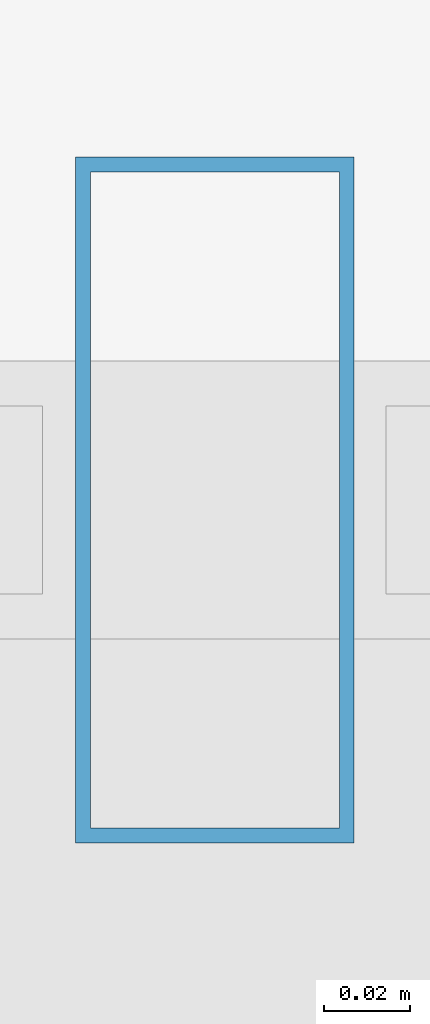
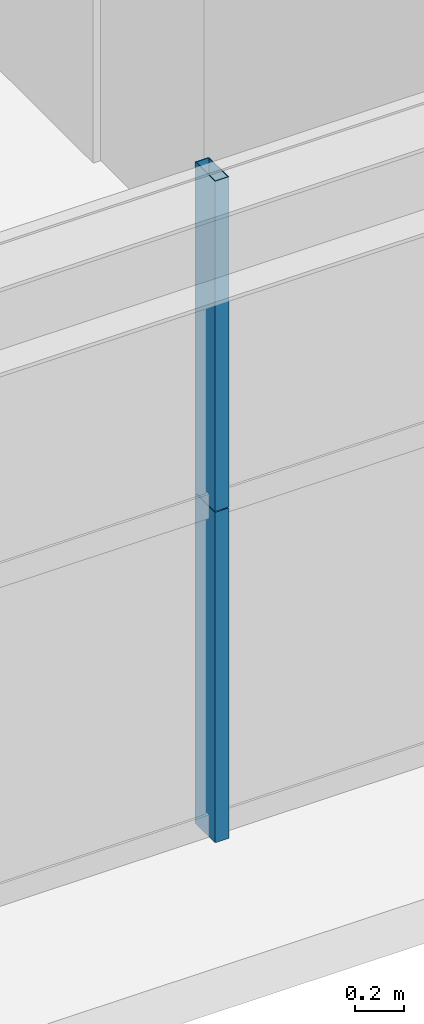
# One storey, part 6 of 45: 2 members, 1 element without a shape of its own.
"""IFC4 building model written with IfcOpenShell, lengths in metres."""

from ifc_helpers import new_model, si_unit, direction, frame, origin, origin_2d, place, context, subcontext, project, spatial, hollow_rectangle, extrude, source, transform, mapped, material, layer, layer_set, material_profile, profile_set, type_object, element, aggregate, save


model = new_model("IFC4")

# Units and contexts
model_context = context("Model", 3, precision=1e-05, world=origin(), true_north=direction((0.0, 1.0)))
body_context = subcontext(model_context, "Body", "Model", "MODEL_VIEW")
ifc_project = project(units=[si_unit("LENGTHUNIT", "METRE"), si_unit("AREAUNIT", "SQUARE_METRE"), si_unit("VOLUMEUNIT", "CUBIC_METRE"), si_unit("PLANEANGLEUNIT", "RADIAN"), si_unit("MASSUNIT", "GRAM", prefix="KILO"), si_unit("THERMODYNAMICTEMPERATUREUNIT", "KELVIN"), si_unit("POWERUNIT", "WATT")], contexts=[model_context])

# Site, building, storey
site_placement = place(None, origin())
site = spatial("IfcSite", under=ifc_project, at=site_placement, CompositionType="ELEMENT")
building_placement = place(site_placement, origin())
building = spatial("IfcBuilding", under=site, at=building_placement, Name="Yuzanri Waterfront Tower", CompositionType="ELEMENT")
storey_placement = place(building_placement, frame((0.0, 0.0, 191.5)))
storey = spatial("IfcBuildingStorey", under=building, at=storey_placement, Name="L50", CompositionType="ELEMENT", Elevation=191.5)

# Curtain wall, members
ifc_material_1 = material(Name="Anodized Architectural Bronze", Category="metal")
ifc_layer = layer(ifc_material_1, 0.159912109375)
ifc_layer_set = layer_set([ifc_layer], Name="Anodized Architectural Bronze")
curtain_wall_type = type_object("IfcCurtainWallType", Name="Anodized Bronze Mid-Rise Residential Acoustic Unitized Curtain Wall 7200", PredefinedType="NOTDEFINED", material=ifc_layer_set)
curtain_wall_placement = place(storey_placement, origin())
curtain_wall = element("IfcCurtainWall", 1, at=curtain_wall_placement, inside=storey, type_object=curtain_wall_type, Name="L50 Curtain Wall CW-L50-SL", PredefinedType="NOTDEFINED")
ifc_material_2 = material(Name="Anodized Architectural Bronze", Category="metal")
ifc_material_profile = material_profile(ifc_material_2, hollow_rectangle(XDim=0.06494140625, YDim=0.159912109375, WallThickness=0.00341796875, at=origin_2d()), Name="CWM 65x160")
ifc_profile_set = profile_set([ifc_material_profile], Name="Anodized Architectural Bronze")
member_type = type_object("IfcMemberType", Name="Anodized Bronze Upper-Zone Curtain-Wall Mullion 65x160", PredefinedType="MULLION", material=ifc_profile_set)
shared_shape = source(origin(), body_context, "Body", "SweptSolid", [
    extrude(hollow_rectangle(XDim=0.06494140625, YDim=0.159912109375, WallThickness=0.00341796875, at=origin_2d()), origin(), (0.0, 0.0, 1.0), 1.637939453125),
])
member_1_placement = place(storey_placement, frame((29.425048828125, 3.85009765625, 0.0), z_axis=(0.0, 0.0, 1.0), x_axis=(1.0, 0.0, 0.0)))
member_1 = element("IfcMember", 2, at=member_1_placement, type_object=member_type, Name="CW-L50-SL Lower Mullion 01", PredefinedType="MULLION", context=body_context, shape_type="MappedRepresentation", body=[
    mapped(shared_shape, transform((0.0, 0.0, 0.0), scale=1.0)),
])
member_2_placement = place(storey_placement, frame((29.425048828125, 3.85009765625, 1.64208984375), z_axis=(0.0, 0.0, 1.0), x_axis=(1.0, 0.0, 0.0)))
member_2 = element("IfcMember", 3, at=member_2_placement, type_object=member_type, Name="CW-L50-SL Upper Mullion 01", PredefinedType="MULLION", context=body_context, shape_type="MappedRepresentation", body=[
    mapped(shared_shape, transform((0.0, 0.0, 0.0), scale=1.0)),
])
aggregate(curtain_wall, [member_1, member_2])

save(model, "model.ifc")
